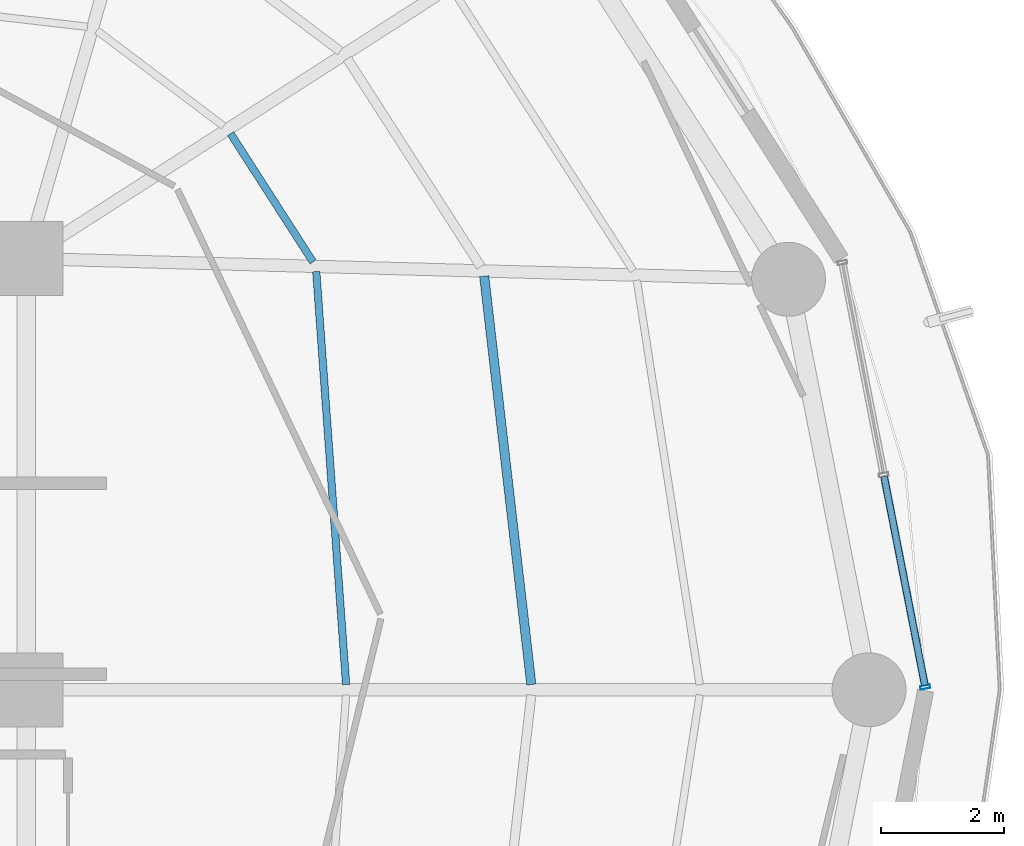
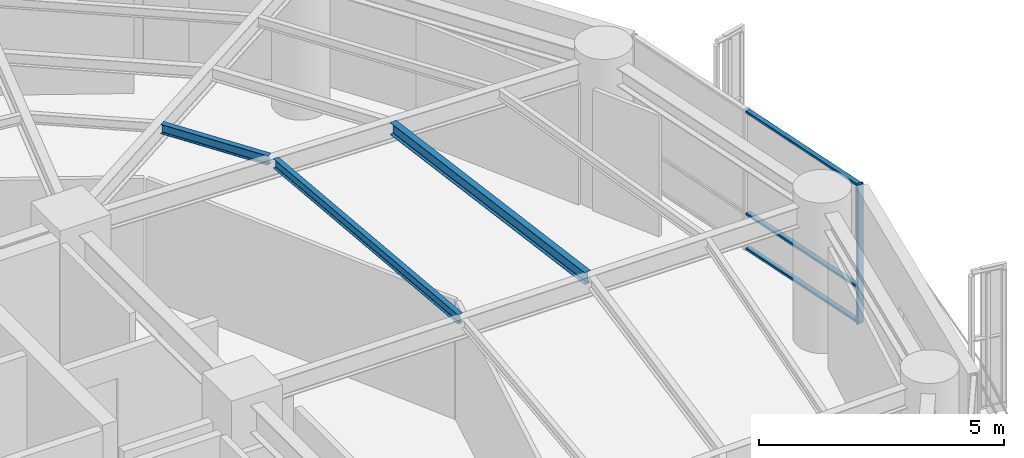
# One storey, part 13 of 27: 4 members, 3 beams, 1 element without a shape of its own.
"""IFC4 building model written with IfcOpenShell, lengths in metres."""

from ifc_helpers import new_model, si_unit, direction, frame, origin, origin_2d, place, context, subcontext, project, spatial, hollow_rectangle, i_section, extrude, material, layer, layer_set, material_profile, profile_set, type_object, element, aggregate, save


model = new_model("IFC4")

# Units and contexts
model_context = context("Model", 3, precision=1e-05, world=origin(), true_north=direction((0.0, 1.0)))
body_context = subcontext(model_context, "Body", "Model", "MODEL_VIEW")
ifc_project = project(units=[si_unit("LENGTHUNIT", "METRE"), si_unit("AREAUNIT", "SQUARE_METRE"), si_unit("VOLUMEUNIT", "CUBIC_METRE"), si_unit("PLANEANGLEUNIT", "RADIAN"), si_unit("MASSUNIT", "GRAM", prefix="KILO")], contexts=[model_context])

# Site, building, storey
site_placement = place(None, origin())
site = spatial("IfcSite", under=ifc_project, at=site_placement, CompositionType="ELEMENT")
building_placement = place(site_placement, origin())
building = spatial("IfcBuilding", under=site, at=building_placement, Name="Kelanora Arch Commons", CompositionType="ELEMENT")
storey_placement = place(building_placement, frame((0.0, 0.0, 143.10009765625)))
storey = spatial("IfcBuildingStorey", under=building, at=storey_placement, Name="L36", CompositionType="ELEMENT", Elevation=143.10009765625)

# Beams
ifc_material_1 = material(Name="Steel S355", Category="steel")
ifc_material_profile_1 = material_profile(ifc_material_1, i_section(OverallWidth=0.14990234375, OverallDepth=0.300048828125, WebThickness=0.007080078125, FlangeThickness=0.0107421875, FilletRadius=0.014892578125, at=origin_2d()), Name="IPE300")
ifc_profile_set_1 = profile_set([ifc_material_profile_1], Name="Steel S355")
beam_type_1 = type_object("IfcBeamType", Name="BM-JST-01", PredefinedType="JOIST", material=ifc_profile_set_1)
beam_1_placement = place(storey_placement, frame((90.1982421875, 58.08447265625, 3.33984375), z_axis=(-0.114667159005, 0.9934039675, 0.0), x_axis=(-0.9934039675, -0.114667159005, 0.0)))
element("IfcBeam", 1, at=beam_1_placement, inside=storey, type_object=beam_type_1, Name="Secondary Chord Joist BJB-00 L36", PredefinedType="JOIST", context=body_context, shape_type="SweptSolid", body=[
    extrude(i_section(OverallWidth=0.14990234375, OverallDepth=0.300048828125, WebThickness=0.007080078125, FlangeThickness=0.0107421875, FilletRadius=0.014892578125, at=origin_2d()), origin(), (0.0, 0.0, 1.0), 6.672607421875),
])
ifc_material_profile_2 = material_profile(ifc_material_1, i_section(OverallWidth=0.1201171875, OverallDepth=0.239990234375, WebThickness=0.006103515625, FlangeThickness=0.009765625, FilletRadius=0.014892578125, at=origin_2d()), Name="IPE240")
ifc_profile_set_2 = profile_set([ifc_material_profile_2], Name="Steel S355")
beam_type_2 = type_object("IfcBeamType", Name="BM-JST-02", PredefinedType="JOIST", material=ifc_profile_set_2)
beam_2_placement = place(storey_placement, frame((87.1923828125, 58.084716796875, 3.369873046875), z_axis=(-0.072117123738, 0.997396170267, 0.0), x_axis=(-0.997396170267, -0.072117123738, 0.0)))
element("IfcBeam", 2, at=beam_2_placement, inside=storey, type_object=beam_type_2, Name="Secondary Chord Joist BJA-00 L36", PredefinedType="JOIST", context=body_context, shape_type="SweptSolid", body=[
    extrude(i_section(OverallWidth=0.1201171875, OverallDepth=0.239990234375, WebThickness=0.006103515625, FlangeThickness=0.009765625, FilletRadius=0.014892578125, at=origin_2d()), origin(), (0.0, 0.0, 1.0), 6.719970703125),
])
beam_3_placement = place(storey_placement, frame((86.655517578125, 64.943359375, 3.369873046875), z_axis=(-0.540583174025, 0.841290575224, 0.0), x_axis=(-0.841290575224, -0.540583174025, 0.0)))
element("IfcBeam", 3, at=beam_3_placement, inside=storey, type_object=beam_type_2, Name="Secondary Chord Joist BJA-02 L36", PredefinedType="JOIST", context=body_context, shape_type="SweptSolid", body=[
    extrude(i_section(OverallWidth=0.1201171875, OverallDepth=0.239990234375, WebThickness=0.006103515625, FlangeThickness=0.009765625, FilletRadius=0.014892578125, at=origin_2d()), origin(), (0.0, 0.0, 1.0), 2.476318359375),
])

# Curtain wall, members
ifc_material_2 = material(Name="Terracotta ceramic-fritted low-E glass and aluminium", Category="masonry")
ifc_layer = layer(ifc_material_2, 0.175048828125)
ifc_layer_set = layer_set([ifc_layer], Name="Terracotta ceramic-fritted low-E glass and aluminium")
curtain_wall_type = type_object("IfcCurtainWallType", Name="CW-SYS-02", PredefinedType="NOTDEFINED", material=ifc_layer_set)
curtain_wall_placement = place(storey_placement, origin())
curtain_wall = element("IfcCurtainWall", 4, at=curtain_wall_placement, inside=storey, type_object=curtain_wall_type, Name="Unitised Curtain Wall L36-B00", PredefinedType="NOTDEFINED")
ifc_material_3 = material(Name="Powder-coated aluminium terracotta", Category="masonry")
ifc_material_profile_3 = material_profile(ifc_material_3, hollow_rectangle(XDim=0.159912109375, YDim=0.06005859375, WallThickness=0.0048828125, InnerFilletRadius=0.0048828125, OuterFilletRadius=0.010009765625, at=origin_2d()), Name="CWM160x60")
ifc_profile_set_3 = profile_set([ifc_material_profile_3], Name="Powder-coated aluminium terracotta")
member_type_1 = type_object("IfcMemberType", Name="CWM-STD", PredefinedType="MULLION", material=ifc_profile_set_3)
member_1_placement = place(storey_placement, frame((96.59130859375, 58.044189453125, 0.0), z_axis=(0.0, 0.0, 1.0), x_axis=(-0.981452557718, -0.191705182375, 0.0)))
member_1 = element("IfcMember", 5, at=member_1_placement, type_object=member_type_1, Name="CW-02 mullion 1", PredefinedType="MULLION", context=body_context, shape_type="SweptSolid", body=[
    extrude(hollow_rectangle(XDim=0.159912109375, YDim=0.06005859375, WallThickness=0.0048828125, InnerFilletRadius=0.0048828125, OuterFilletRadius=0.010009765625, at=origin_2d()), origin(), (0.0, 0.0, 1.0), 3.474853515625),
])
ifc_material_profile_4 = material_profile(ifc_material_3, hollow_rectangle(XDim=0.1201171875, YDim=0.06005859375, WallThickness=0.0048828125, InnerFilletRadius=0.0048828125, OuterFilletRadius=0.010009765625, at=origin_2d()), Name="CWT120x60")
ifc_profile_set_4 = profile_set([ifc_material_profile_4], Name="Powder-coated aluminium terracotta")
member_type_2 = type_object("IfcMemberType", Name="CWT-STD", PredefinedType="USERDEFINED", material=ifc_profile_set_4)
member_2_placement = place(storey_placement, frame((96.585693359375, 58.073486328125, 0.02978515625), z_axis=(-0.191718206447, 0.981450013662, 0.0), x_axis=(-0.981450013662, -0.191718206447, 0.0)))
member_2 = element("IfcMember", 6, at=member_2_placement, type_object=member_type_2, Name="CW-02 transom 1.1", ObjectType="TRANSOM", PredefinedType="USERDEFINED", context=body_context, shape_type="SweptSolid", body=[
    extrude(hollow_rectangle(XDim=0.1201171875, YDim=0.06005859375, WallThickness=0.0048828125, InnerFilletRadius=0.0048828125, OuterFilletRadius=0.010009765625, at=origin_2d()), origin(), (0.0, 0.0, 1.0), 3.44970703125),
])
member_3_placement = place(storey_placement, frame((96.585693359375, 58.073486328125, 0.89990234375), z_axis=(-0.191718206447, 0.981450013662, 0.0), x_axis=(-0.981450013662, -0.191718206447, 0.0)))
member_3 = element("IfcMember", 7, at=member_3_placement, type_object=member_type_2, Name="CW-02 transom 1.2", ObjectType="TRANSOM", PredefinedType="USERDEFINED", context=body_context, shape_type="SweptSolid", body=[
    extrude(hollow_rectangle(XDim=0.1201171875, YDim=0.06005859375, WallThickness=0.0048828125, InnerFilletRadius=0.0048828125, OuterFilletRadius=0.010009765625, at=origin_2d()), origin(), (0.0, 0.0, 1.0), 3.44970703125),
])
member_4_placement = place(storey_placement, frame((96.585693359375, 58.073486328125, 3.44482421875), z_axis=(-0.191718206447, 0.981450013662, 0.0), x_axis=(-0.981450013662, -0.191718206447, 0.0)))
member_4 = element("IfcMember", 8, at=member_4_placement, type_object=member_type_2, Name="CW-02 transom 1.3", ObjectType="TRANSOM", PredefinedType="USERDEFINED", context=body_context, shape_type="SweptSolid", body=[
    extrude(hollow_rectangle(XDim=0.1201171875, YDim=0.06005859375, WallThickness=0.0048828125, InnerFilletRadius=0.0048828125, OuterFilletRadius=0.010009765625, at=origin_2d()), origin(), (0.0, 0.0, 1.0), 3.44970703125),
])
aggregate(curtain_wall, [member_1, member_2, member_3, member_4])

save(model, "model.ifc")
